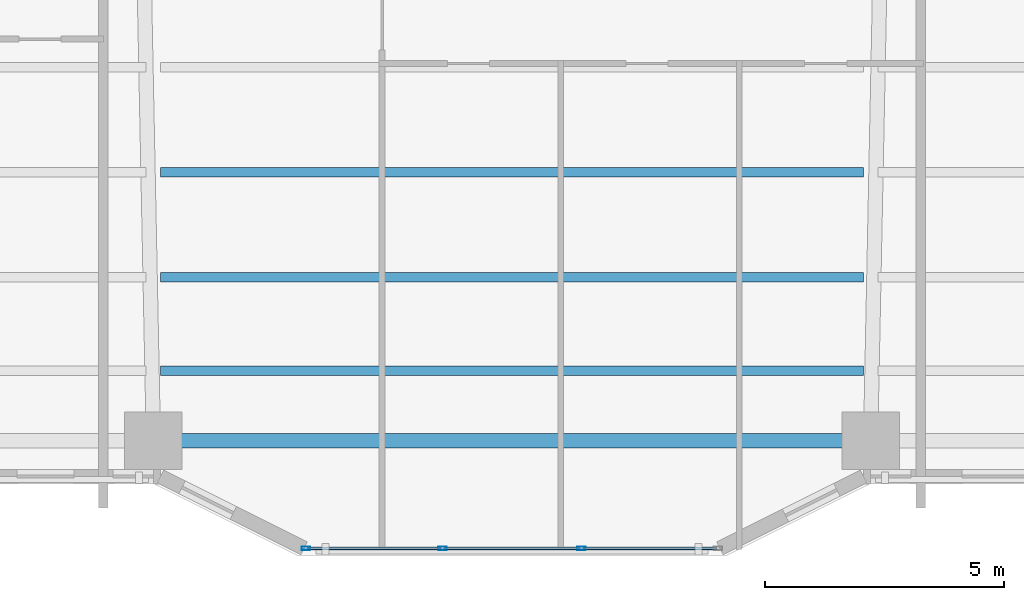
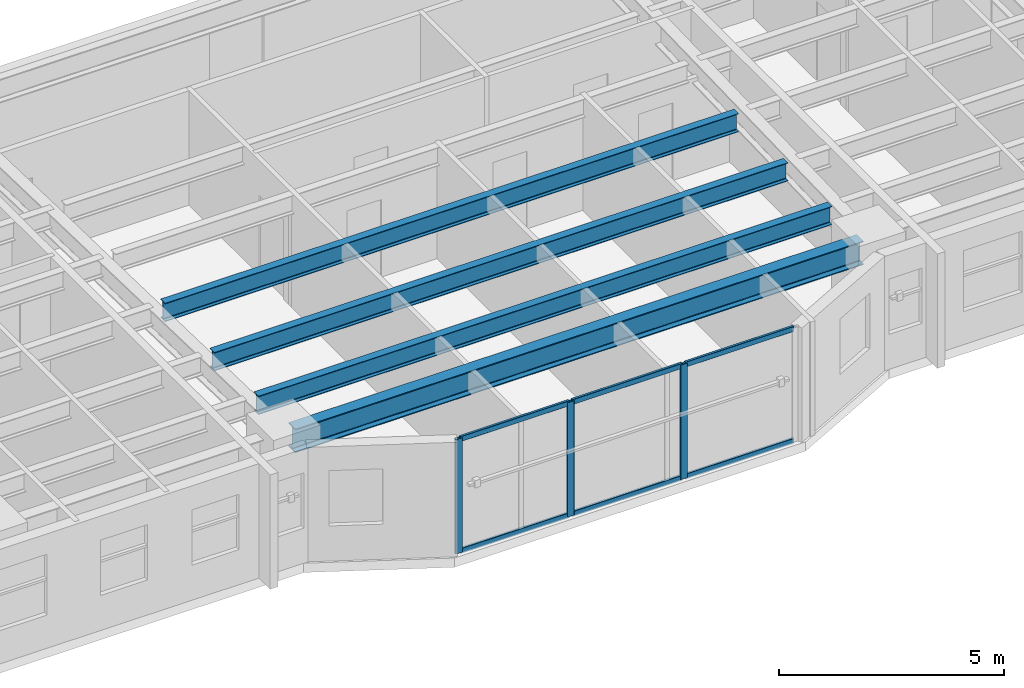
# One storey, part 2 of 21: 9 members, 4 beams, 1 element without a shape of its own.
"""IFC4 building model written with IfcOpenShell, lengths in metres."""

import ifcopenshell
import ifcopenshell.guid

model = None  # the IFC model being written
_history = None  # IfcOwnerHistory: only IFC2X3 demands one
_inside = {}  # id of a spatial element -> (the spatial element, [elements in it])
_under = {}  # id of a project, library or spatial element -> (it, [spatial elements below it])
_declared = {}  # id of a project -> (the project, [libraries it declares])
_typed = {}  # id of a type object -> (the type object, [elements of that type])
_made_of = {}  # id of a material, layer set ... -> (it, [elements and type objects made of it])


def new_model(schema):
    """Start an empty IFC model of exactly this schema.

    Asked for "IFC4X3", IfcOpenShell would pick the latest addendum, in which some entities
    have other attributes; the version numbers below select the first issue.
    IFC2X3 requires an IfcOwnerHistory on every rooted entity: one is made here for all.
    """
    global model, _history
    if schema == "IFC4X3":
        model = ifcopenshell.file(schema_version=(4, 3, 0, 0))
    else:
        model = ifcopenshell.file(schema=schema)
    _inside.clear()
    _under.clear()
    _declared.clear()
    _typed.clear()
    _made_of.clear()
    _history = None
    if model.schema == "IFC2X3":
        org = make("IfcOrganization", Name="unknown")
        user = make(
            "IfcPersonAndOrganization",
            ThePerson=make("IfcPerson", FamilyName="unknown"),
            TheOrganization=org,
        )
        app = make(
            "IfcApplication",
            ApplicationDeveloper=org,
            Version="unknown",
            ApplicationFullName="unknown",
            ApplicationIdentifier="unknown",
        )
        _history = make(
            "IfcOwnerHistory",
            OwningUser=user,
            OwningApplication=app,
            ChangeAction="ADDED",
            CreationDate=0,
        )
    return model


def make(cls, **values):
    """One entity of the class cls with the attributes given. An attribute that is None is left unset."""
    return model.create_entity(
        cls, **{name: value for name, value in values.items() if value is not None}
    )


def rooted(cls, **values):
    """An entity with a GlobalId (a new one), such as an element, a storey or a relation."""
    return make(cls, GlobalId=ifcopenshell.guid.new(), OwnerHistory=_history, **values)


def si_unit(unit_type, name, prefix=None):
    """IfcSIUnit, for example si_unit("LENGTHUNIT", "METRE", prefix="MILLI")."""
    return make("IfcSIUnit", UnitType=unit_type, Prefix=prefix, Name=name)


def assignment(units):
    """IfcUnitAssignment: the units of a project."""
    return None if units is None else make("IfcUnitAssignment", Units=units)


def point(xyz):
    """IfcCartesianPoint."""
    return None if xyz is None else make("IfcCartesianPoint", Coordinates=xyz)


def direction(xyz):
    """IfcDirection."""
    return None if xyz is None else make("IfcDirection", DirectionRatios=xyz)


def frame(location, z_axis=None, x_axis=None):
    """IfcAxis2Placement3D, a coordinate frame: its origin and axes. An axis left out is left unset."""
    return make(
        "IfcAxis2Placement3D",
        Location=point(location),
        Axis=direction(z_axis),
        RefDirection=direction(x_axis),
    )


def frame_2d(location, x_axis=None):
    """IfcAxis2Placement2D, a coordinate frame in the plane: its origin and x axis."""
    return make(
        "IfcAxis2Placement2D", Location=point(location), RefDirection=direction(x_axis)
    )


def origin():
    """The frame at (0, 0, 0) with its axes left unset."""
    return frame((0.0, 0.0, 0.0))


def origin_2d():
    """The frame at (0, 0) in the plane with its x axis left unset."""
    return frame_2d((0.0, 0.0))


def place(relative_to, where):
    """IfcLocalPlacement: puts the frame where relative to a parent placement (None: the world)."""
    return make(
        "IfcLocalPlacement", PlacementRelTo=relative_to, RelativePlacement=where
    )


def context(
    kind, dimensions, precision=None, world=None, true_north=None, identifier=None
):
    """IfcGeometricRepresentationContext, for example the 3D "Model" context."""
    return make(
        "IfcGeometricRepresentationContext",
        ContextIdentifier=identifier,
        ContextType=kind,
        CoordinateSpaceDimension=dimensions,
        Precision=precision,
        WorldCoordinateSystem=world,
        TrueNorth=true_north,
    )


def subcontext(parent, identifier, kind, view, scale=None):
    """IfcGeometricRepresentationSubContext, for example "Body" below "Model"."""
    return make(
        "IfcGeometricRepresentationSubContext",
        ContextIdentifier=identifier,
        ContextType=kind,
        ParentContext=parent,
        TargetScale=scale,
        TargetView=view,
    )


def project(units=None, contexts=None):
    """IfcProject with its units and contexts."""
    return rooted(
        "IfcProject",
        Name="project",
        RepresentationContexts=contexts,
        UnitsInContext=assignment(units),
    )


def spatial(cls, under=None, at=None, **own):
    """A site, building, storey or space (cls), placed at a placement, below another one or the project."""
    s = rooted(cls, ObjectPlacement=at, **own)
    if under is not None:
        _under.setdefault(under.id(), (under, []))[1].append(s)
    return s


def profile(cls, at=None, kind="AREA", **sizes):
    """A parametric profile (cls). Its sizes go by their IFC names, for example OverallWidth=200.0."""
    return make(cls, ProfileType=kind, Position=at, **sizes)


def hollow_rectangle(**sizes):
    """IfcRectangleHollowProfileDef."""
    return profile("IfcRectangleHollowProfileDef", **sizes)


def i_section(**sizes):
    """IfcIShapeProfileDef."""
    return profile("IfcIShapeProfileDef", **sizes)


def extrude(swept, where, along, depth):
    """IfcExtrudedAreaSolid: the profile swept, set in the frame where, extruded along a direction by depth."""
    return make(
        "IfcExtrudedAreaSolid",
        SweptArea=swept,
        Position=where,
        ExtrudedDirection=direction(along),
        Depth=depth,
    )


def shape(context_of_items, identifier, shape_type, items):
    """IfcShapeRepresentation: the items that make up one representation, for example the "Body"."""
    return make(
        "IfcShapeRepresentation",
        ContextOfItems=context_of_items,
        RepresentationIdentifier=identifier,
        RepresentationType=shape_type,
        Items=items,
    )


def material(Name=None, Category=None):
    """IfcMaterial."""
    return make("IfcMaterial", Name=Name, Category=Category)


def layer(
    of_material, thickness, ventilated=None, Name=None, Category=None, Priority=None
):
    """IfcMaterialLayer: one layer of a wall or slab, of a material (None: an air gap)."""
    return make(
        "IfcMaterialLayer",
        Material=of_material,
        LayerThickness=thickness,
        IsVentilated=ventilated,
        Name=Name,
        Category=Category,
        Priority=Priority,
    )


def layer_set(layers, Name=None):
    """IfcMaterialLayerSet."""
    return make("IfcMaterialLayerSet", MaterialLayers=layers, LayerSetName=Name)


def material_profile(
    of_material, cross_section, Name=None, Category=None, Priority=None
):
    """IfcMaterialProfile: a cross section and its material."""
    return make(
        "IfcMaterialProfile",
        Name=Name,
        Material=of_material,
        Profile=cross_section,
        Priority=Priority,
        Category=Category,
    )


def profile_set(profiles, Name=None, composite=None):
    """IfcMaterialProfileSet."""
    return make(
        "IfcMaterialProfileSet",
        Name=Name,
        MaterialProfiles=profiles,
        CompositeProfile=composite,
    )


def made_of(thing, what):
    """Note that an element or type object is made of a material, layer set ...; save() writes the relation."""
    if what is not None:
        _made_of.setdefault(what.id(), (what, []))[1].append(thing)
    return thing


def type_object(cls, material=None, **own):
    """A type object (cls), such as IfcWallType, which elements share."""
    return made_of(rooted(cls, **own), material)


def element(
    cls,
    number,
    at=None,
    inside=None,
    cuts=None,
    type_object=None,
    material=None,
    context=None,
    identifier="Body",
    shape_type=None,
    held_by="IfcProductDefinitionShape",
    body=None,
    shapes=None,
    **own,
):
    """One element of the class cls, such as IfcWall. Its Tag is "e" and its number.

    at: its placement. inside: the storey or other place that contains it. cuts: it is an
    opening in that element (IfcRelVoidsElement). A single representation is given by context,
    identifier, shape_type and body (its items); several are given by shapes. held_by: the class
    of the entity that holds the representations. save() writes the other relations.
    """
    e = rooted(cls, Tag="e%d" % number, ObjectPlacement=at, **own)
    if body is not None:
        shapes = [shape(context, identifier, shape_type, body)]
    if shapes is not None:
        e.Representation = make(held_by, Representations=shapes)
    if inside is not None:
        _inside.setdefault(inside.id(), (inside, []))[1].append(e)
    if cuts is not None:
        rooted(
            "IfcRelVoidsElement", RelatingBuildingElement=cuts, RelatedOpeningElement=e
        )
    if type_object is not None:
        _typed.setdefault(type_object.id(), (type_object, []))[1].append(e)
    return made_of(e, material)


def aggregate(whole, parts):
    """IfcRelAggregates: a whole, such as a stair, and the parts it consists of."""
    return rooted("IfcRelAggregates", RelatingObject=whole, RelatedObjects=parts)


def save(model, path):
    """Write the relations noted so far, then the file.

    IfcRelAggregates (storeys below a building ...), IfcRelContainedInSpatialStructure (elements
    in a storey), IfcRelDefinesByType, IfcRelAssociatesMaterial and IfcRelDeclares: one each for
    every whole, place, type object, material and project.
    """
    for whole, parts in _under.values():
        aggregate(whole, parts)
    for where, things in _inside.values():
        rooted(
            "IfcRelContainedInSpatialStructure",
            RelatedElements=things,
            RelatingStructure=where,
        )
    for kind, things in _typed.values():
        rooted("IfcRelDefinesByType", RelatedObjects=things, RelatingType=kind)
    for what, things in _made_of.values():
        rooted("IfcRelAssociatesMaterial", RelatedObjects=things, RelatingMaterial=what)
    for by, libraries in _declared.values():
        rooted("IfcRelDeclares", RelatingContext=by, RelatedDefinitions=libraries)
    model.write(path)


model = new_model("IFC4")

# Units and contexts
model_context = context("Model", 3, precision=1e-05, world=origin(), true_north=direction((0.0, 1.0)))
body_context = subcontext(model_context, "Body", "Model", "MODEL_VIEW")
ifc_project = project(units=[si_unit("LENGTHUNIT", "METRE"), si_unit("AREAUNIT", "SQUARE_METRE"), si_unit("VOLUMEUNIT", "CUBIC_METRE"), si_unit("PLANEANGLEUNIT", "RADIAN"), si_unit("MASSUNIT", "GRAM", prefix="KILO")], contexts=[model_context])

# Site, building, storey
site_placement = place(None, origin())
site = spatial("IfcSite", under=ifc_project, at=site_placement, CompositionType="ELEMENT")
building_placement = place(site_placement, origin())
building = spatial("IfcBuilding", under=site, at=building_placement, Name="Tarnavaz Court Tower", CompositionType="ELEMENT")
storey_placement = place(building_placement, frame((0.0, 0.0, 37.39990234375)))
storey = spatial("IfcBuildingStorey", under=building, at=storey_placement, Name="L09", CompositionType="ELEMENT", Elevation=37.39990234375)

# Beams
ifc_material_1 = material(Name="Steel S355", Category="steel")
ifc_material_profile_1 = material_profile(ifc_material_1, i_section(OverallWidth=0.199951171875, OverallDepth=0.5, WebThickness=0.01025390625, FlangeThickness=0.01611328125, FilletRadius=0.02099609375, at=origin_2d()), Name="IPE 500")
ifc_profile_set_1 = profile_set([ifc_material_profile_1], Name="Steel S355")
beam_type_1 = type_object("IfcBeamType", Name="BM-J-IPE500", PredefinedType="JOIST", material=ifc_profile_set_1)
for number, where, z_axis, x_axis, name in (
    (1, (-7.35009765625, -17.18798828125, 2.85009765625), (1.0, 0.0, 0.0), (0.0, 1.0, 0.0), "L09 Beam JS3-2"),
    (2, (-7.35009765625, -19.384033203125, 2.85009765625), (1.0, 0.0, 0.0), (0.0, 1.0, 0.0), "L09 Beam JS4-2"),
    (3, (-7.35009765625, -21.3359375, 2.85009765625), (1.0, 0.0, 0.0), (0.0, 1.0, 0.0), "L09 Beam JS5-2"),
):
    element("IfcBeam", number, at=place(storey_placement, frame(where, z_axis=z_axis, x_axis=x_axis)), inside=storey, type_object=beam_type_1, Name=name, PredefinedType="JOIST", context=body_context, shape_type="SweptSolid", body=[
        extrude(i_section(OverallWidth=0.199951171875, OverallDepth=0.5, WebThickness=0.01025390625, FlangeThickness=0.01611328125, FilletRadius=0.02099609375, at=origin_2d()), origin(), (0.0, 0.0, 1.0), 14.7001953125),
    ])
ifc_material_profile_2 = material_profile(ifc_material_1, i_section(OverallWidth=0.300048828125, OverallDepth=0.639892578125, WebThickness=0.013427734375, FlangeThickness=0.02587890625, FilletRadius=0.027099609375, at=origin_2d()), Name="HEA 650")
ifc_profile_set_2 = profile_set([ifc_material_profile_2], Name="Steel S355")
beam_type_2 = type_object("IfcBeamType", Name="BM-SP-HEA650", PredefinedType="SPANDREL", material=ifc_profile_set_2)
beam_placement = place(storey_placement, frame((-7.280029296875, -22.800048828125, 2.780029296875), z_axis=(1.0, 0.0, 0.0), x_axis=(0.0, 1.0, 0.0)))
element("IfcBeam", 4, at=beam_placement, inside=storey, type_object=beam_type_2, Name="L09 Beam PR-PS-2-PS-3", PredefinedType="SPANDREL", context=body_context, shape_type="SweptSolid", body=[
    extrude(i_section(OverallWidth=0.300048828125, OverallDepth=0.639892578125, WebThickness=0.013427734375, FlangeThickness=0.02587890625, FilletRadius=0.027099609375, at=origin_2d()), origin(), (0.0, 0.0, 1.0), 14.56005859375),
])

# Curtain wall, members
ifc_material_2 = material(Name="Anodised Aluminium 6063-T6 and Solar Low-E Glazing", Category="aluminium")
ifc_layer = layer(ifc_material_2, 0.179931640625)
ifc_layer_set = layer_set([ifc_layer], Name="Anodised Aluminium 6063-T6 and Solar Low-E Glazing")
curtain_wall_type = type_object("IfcCurtainWallType", Name="CW-SYS-02", PredefinedType="NOTDEFINED", material=ifc_layer_set)
curtain_wall_placement = place(storey_placement, origin())
curtain_wall = element("IfcCurtainWall", 5, at=curtain_wall_placement, inside=storey, type_object=curtain_wall_type, Name="L09 Iwan Prow Curtain Wall 17", PredefinedType="NOTDEFINED")
ifc_material_3 = material(Name="Anodised Aluminium 6063-T6", Category="aluminium")
ifc_material_profile_3 = material_profile(ifc_material_3, hollow_rectangle(XDim=0.074951171875, YDim=0.179931640625, WallThickness=0.0048828125, InnerFilletRadius=0.0048828125, OuterFilletRadius=0.010009765625, at=origin_2d()), Name="ALU RHS 180X75X5")
ifc_profile_set_3 = profile_set([ifc_material_profile_3], Name="Anodised Aluminium 6063-T6")
member_type_1 = type_object("IfcMemberType", Name="CW-MUL-180", PredefinedType="MULLION", material=ifc_profile_set_3)
member_1_placement = place(storey_placement, frame((1.449951171875, -25.050048828125, 0.0), z_axis=(0.0, 0.0, 1.0), x_axis=(0.0, -1.0, 0.0)))
member_1 = element("IfcMember", 6, at=member_1_placement, type_object=member_type_1, Name="CW mullion 2", PredefinedType="MULLION", context=body_context, shape_type="SweptSolid", body=[
    extrude(hollow_rectangle(XDim=0.074951171875, YDim=0.179931640625, WallThickness=0.0048828125, InnerFilletRadius=0.0048828125, OuterFilletRadius=0.010009765625, at=origin_2d()), origin(), (0.0, 0.0, 1.0), 3.10009765625),
])
member_2_placement = place(storey_placement, frame((-1.449951171875, -25.050048828125, 0.0), z_axis=(0.0, 0.0, 1.0), x_axis=(0.0, -1.0, 0.0)))
member_2 = element("IfcMember", 7, at=member_2_placement, type_object=member_type_1, Name="CW mullion 3", PredefinedType="MULLION", context=body_context, shape_type="SweptSolid", body=[
    extrude(hollow_rectangle(XDim=0.074951171875, YDim=0.179931640625, WallThickness=0.0048828125, InnerFilletRadius=0.0048828125, OuterFilletRadius=0.010009765625, at=origin_2d()), origin(), (0.0, 0.0, 1.0), 3.10009765625),
])
member_3_placement = place(storey_placement, frame((-4.3125, -25.050048828125, 0.0), z_axis=(0.0, 0.0, 1.0), x_axis=(0.0, -1.0, 0.0)))
member_3 = element("IfcMember", 8, at=member_3_placement, type_object=member_type_1, Name="CW mullion 4", PredefinedType="MULLION", context=body_context, shape_type="SweptSolid", body=[
    extrude(hollow_rectangle(XDim=0.074951171875, YDim=0.179931640625, WallThickness=0.0048828125, InnerFilletRadius=0.0048828125, OuterFilletRadius=0.010009765625, at=origin_2d()), origin(), (0.0, 0.0, 1.0), 3.10009765625),
])
ifc_material_profile_4 = material_profile(ifc_material_3, hollow_rectangle(XDim=0.06494140625, YDim=0.139892578125, WallThickness=0.00390625, InnerFilletRadius=0.00390625, OuterFilletRadius=0.008056640625, at=origin_2d()), Name="ALU RHS 140X65X4")
ifc_profile_set_4 = profile_set([ifc_material_profile_4], Name="Anodised Aluminium 6063-T6")
member_type_2 = type_object("IfcMemberType", Name="CW-TRN-140", PredefinedType="USERDEFINED", material=ifc_profile_set_4)
member_4_placement = place(storey_placement, frame((4.27490234375, -25.050048828125, 0.03271484375), z_axis=(-1.0, 0.0, 0.0), x_axis=(0.0, -1.0, 0.0)))
member_4 = element("IfcMember", 9, at=member_4_placement, type_object=member_type_2, Name="CW transom 1.1", ObjectType="TRANSOM", PredefinedType="USERDEFINED", context=body_context, shape_type="SweptSolid", body=[
    extrude(hollow_rectangle(XDim=0.06494140625, YDim=0.139892578125, WallThickness=0.00390625, InnerFilletRadius=0.00390625, OuterFilletRadius=0.008056640625, at=origin_2d()), origin(), (0.0, 0.0, 1.0), 2.787353515625),
])
member_5_placement = place(storey_placement, frame((4.27490234375, -25.050048828125, 3.067626953125), z_axis=(-1.0, 0.0, 0.0), x_axis=(0.0, -1.0, 0.0)))
member_5 = element("IfcMember", 10, at=member_5_placement, type_object=member_type_2, Name="CW transom 1.2", ObjectType="TRANSOM", PredefinedType="USERDEFINED", context=body_context, shape_type="SweptSolid", body=[
    extrude(hollow_rectangle(XDim=0.06494140625, YDim=0.139892578125, WallThickness=0.00390625, InnerFilletRadius=0.00390625, OuterFilletRadius=0.008056640625, at=origin_2d()), origin(), (0.0, 0.0, 1.0), 2.787353515625),
])
member_6_placement = place(storey_placement, frame((1.41259765625, -25.050048828125, 0.03271484375), z_axis=(-1.0, 0.0, 0.0), x_axis=(0.0, -1.0, 0.0)))
member_6 = element("IfcMember", 11, at=member_6_placement, type_object=member_type_2, Name="CW transom 2.1", ObjectType="TRANSOM", PredefinedType="USERDEFINED", context=body_context, shape_type="SweptSolid", body=[
    extrude(hollow_rectangle(XDim=0.06494140625, YDim=0.139892578125, WallThickness=0.00390625, InnerFilletRadius=0.00390625, OuterFilletRadius=0.008056640625, at=origin_2d()), origin(), (0.0, 0.0, 1.0), 2.8251953125),
])
member_7_placement = place(storey_placement, frame((1.41259765625, -25.050048828125, 3.067626953125), z_axis=(-1.0, 0.0, 0.0), x_axis=(0.0, -1.0, 0.0)))
member_7 = element("IfcMember", 12, at=member_7_placement, type_object=member_type_2, Name="CW transom 2.2", ObjectType="TRANSOM", PredefinedType="USERDEFINED", context=body_context, shape_type="SweptSolid", body=[
    extrude(hollow_rectangle(XDim=0.06494140625, YDim=0.139892578125, WallThickness=0.00390625, InnerFilletRadius=0.00390625, OuterFilletRadius=0.008056640625, at=origin_2d()), origin(), (0.0, 0.0, 1.0), 2.8251953125),
])
member_8_placement = place(storey_placement, frame((-1.487548828125, -25.050048828125, 0.03271484375), z_axis=(-1.0, 0.0, 0.0), x_axis=(0.0, -1.0, 0.0)))
member_8 = element("IfcMember", 13, at=member_8_placement, type_object=member_type_2, Name="CW transom 3.1", ObjectType="TRANSOM", PredefinedType="USERDEFINED", context=body_context, shape_type="SweptSolid", body=[
    extrude(hollow_rectangle(XDim=0.06494140625, YDim=0.139892578125, WallThickness=0.00390625, InnerFilletRadius=0.00390625, OuterFilletRadius=0.008056640625, at=origin_2d()), origin(), (0.0, 0.0, 1.0), 2.787353515625),
])
member_9_placement = place(storey_placement, frame((-1.487548828125, -25.050048828125, 3.067626953125), z_axis=(-1.0, 0.0, 0.0), x_axis=(0.0, -1.0, 0.0)))
member_9 = element("IfcMember", 14, at=member_9_placement, type_object=member_type_2, Name="CW transom 3.2", ObjectType="TRANSOM", PredefinedType="USERDEFINED", context=body_context, shape_type="SweptSolid", body=[
    extrude(hollow_rectangle(XDim=0.06494140625, YDim=0.139892578125, WallThickness=0.00390625, InnerFilletRadius=0.00390625, OuterFilletRadius=0.008056640625, at=origin_2d()), origin(), (0.0, 0.0, 1.0), 2.787353515625),
])
aggregate(curtain_wall, [member_1, member_2, member_3, member_4, member_5, member_6, member_7, member_8, member_9])

save(model, "model.ifc")
